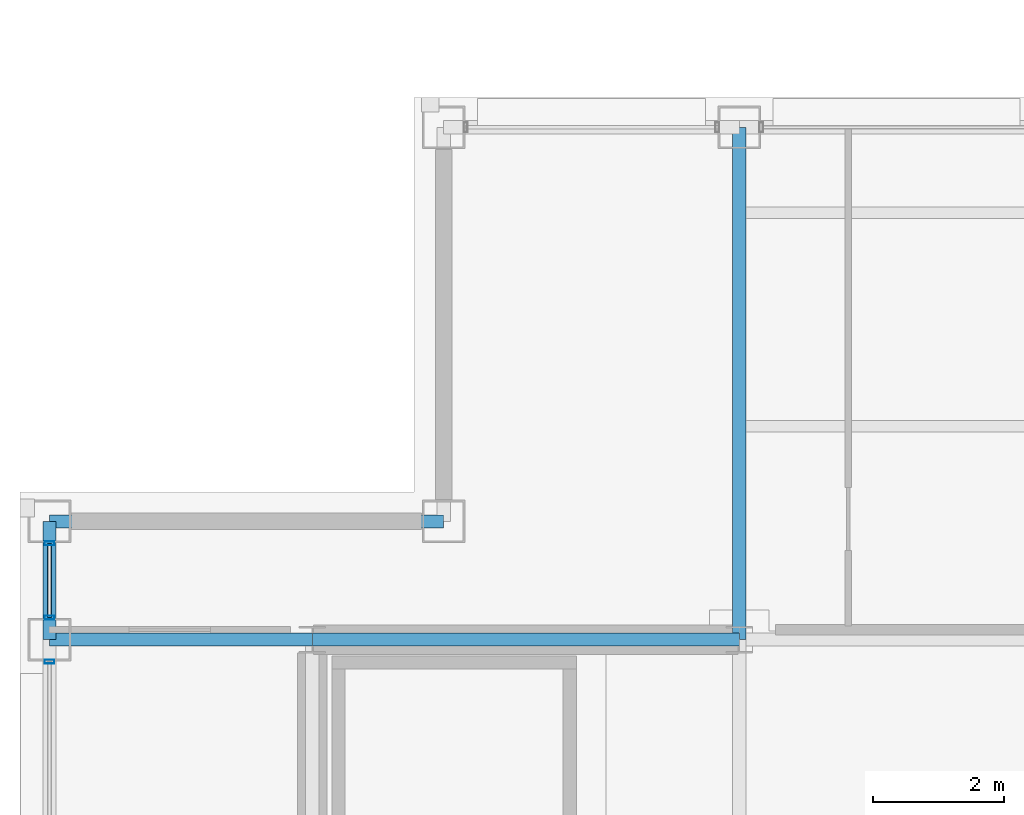
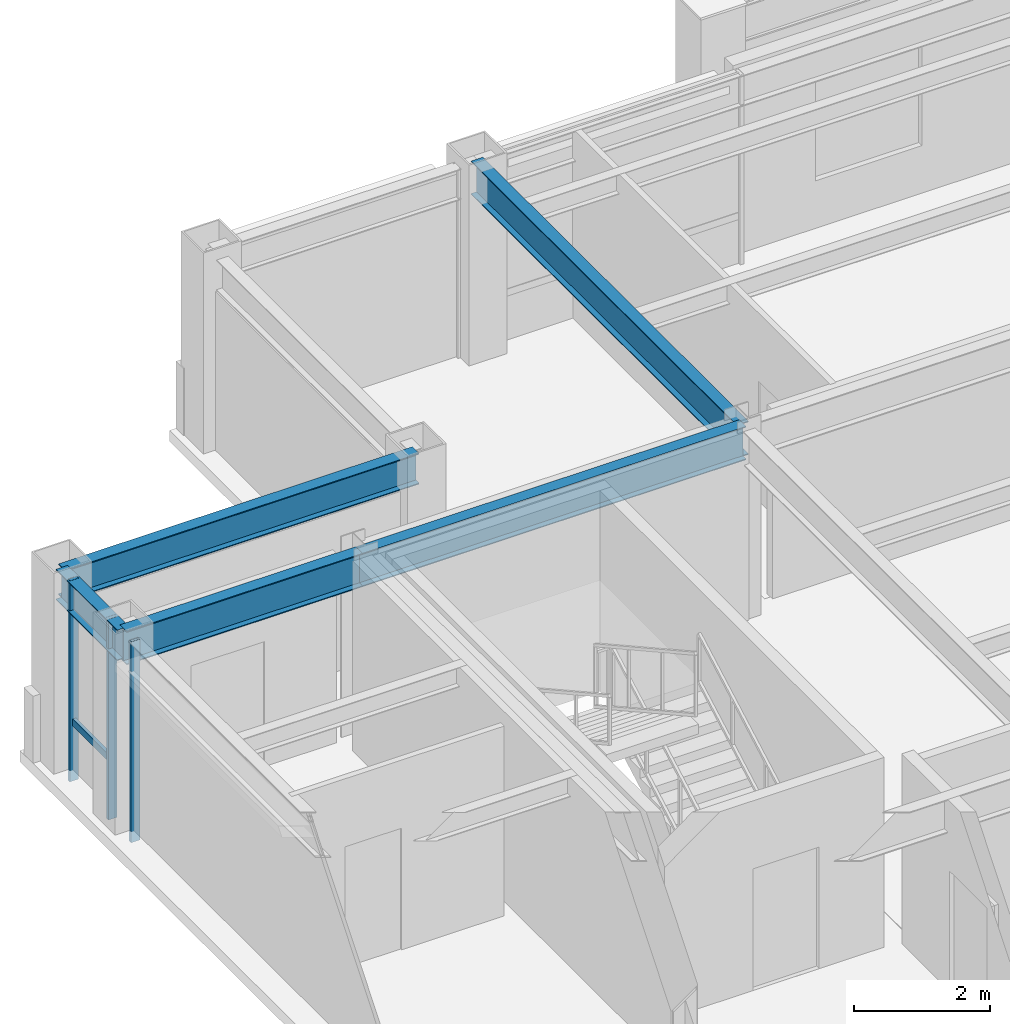
# One storey, part 9 of 24: 5 beams, 4 members, 2 elements without a shape of their own.
"""IFC4 building model written with IfcOpenShell, lengths in metres."""

from ifc_helpers import new_model, si_unit, direction, frame, origin, origin_2d, place, context, subcontext, project, spatial, hollow_rectangle, i_section, extrude, material, layer, layer_set, material_profile, profile_set, type_object, element, aggregate, save


model = new_model("IFC4")

# Units and contexts
model_context = context("Model", 3, precision=1e-05, world=origin(), true_north=direction((0.0, 1.0)))
body_context = subcontext(model_context, "Body", "Model", "MODEL_VIEW")
ifc_project = project(units=[si_unit("LENGTHUNIT", "METRE"), si_unit("AREAUNIT", "SQUARE_METRE"), si_unit("VOLUMEUNIT", "CUBIC_METRE"), si_unit("PLANEANGLEUNIT", "RADIAN"), si_unit("MASSUNIT", "GRAM", prefix="KILO")], contexts=[model_context])

# Site, building, storey
site_placement = place(None, origin())
site = spatial("IfcSite", under=ifc_project, at=site_placement, CompositionType="ELEMENT")
building_placement = place(site_placement, origin())
building = spatial("IfcBuilding", under=site, at=building_placement, Name="Brelmoor Portico Tower", CompositionType="ELEMENT")
storey_placement = place(building_placement, frame((0.0, 0.0, 240.0)))
storey = spatial("IfcBuildingStorey", under=building, at=storey_placement, Name="L63", CompositionType="ELEMENT", Elevation=240.0)

# Beams
ifc_material_1 = material(Name="Steel Q355B", Category="steel")
ifc_material_profile_1 = material_profile(ifc_material_1, i_section(OverallWidth=0.199951171875, OverallDepth=0.60009765625, WebThickness=0.010986328125, FlangeThickness=0.01708984375, at=origin_2d()), Name="HN 600x200x11x17")
ifc_profile_set_1 = profile_set([ifc_material_profile_1], Name="Steel Q355B")
beam_type_1 = type_object("IfcBeamType", Name="BM-PG-600", PredefinedType="BEAM", material=ifc_profile_set_1)
beam_1_placement = place(storey_placement, frame((-8.050048828125, 9.75, 3.10009765625), z_axis=(0.0, 1.0, 0.0), x_axis=(-1.0, 0.0, 0.0)))
element("IfcBeam", 1, at=beam_1_placement, inside=storey, type_object=beam_type_1, Name="L63 Primary Floor Girder PG-05", PredefinedType="BEAM", context=body_context, shape_type="SweptSolid", body=[
    extrude(i_section(OverallWidth=0.199951171875, OverallDepth=0.60009765625, WebThickness=0.010986328125, FlangeThickness=0.01708984375, at=origin_2d()), origin(), (0.0, 0.0, 1.0), 7.800048828125),
])
beam_2_placement = place(storey_placement, frame((-18.550048828125, 9.75, 3.10009765625), z_axis=(1.0, 0.0, 0.0), x_axis=(0.0, 1.0, 0.0)))
element("IfcBeam", 2, at=beam_2_placement, inside=storey, type_object=beam_type_1, Name="L63 Primary Floor Girder PG-19", PredefinedType="BEAM", context=body_context, shape_type="SweptSolid", body=[
    extrude(i_section(OverallWidth=0.199951171875, OverallDepth=0.60009765625, WebThickness=0.010986328125, FlangeThickness=0.01708984375, at=origin_2d()), origin(), (0.0, 0.0, 1.0), 4.0),
])
beam_3_placement = place(storey_placement, frame((-14.550048828125, 9.75, 3.10009765625), z_axis=(1.0, 0.0, 0.0), x_axis=(0.0, 1.0, 0.0)))
element("IfcBeam", 3, at=beam_3_placement, inside=storey, type_object=beam_type_1, Name="L63 Primary Floor Girder PG-20", PredefinedType="BEAM", context=body_context, shape_type="SweptSolid", body=[
    extrude(i_section(OverallWidth=0.199951171875, OverallDepth=0.60009765625, WebThickness=0.010986328125, FlangeThickness=0.01708984375, at=origin_2d()), origin(), (0.0, 0.0, 1.0), 6.5),
])
ifc_material_profile_2 = material_profile(ifc_material_1, i_section(OverallWidth=0.199951171875, OverallDepth=0.550048828125, WebThickness=0.010009765625, FlangeThickness=0.01611328125, at=origin_2d()), Name="HN 550x200x10x16")
ifc_profile_set_2 = profile_set([ifc_material_profile_2], Name="Steel Q355B")
beam_type_2 = type_object("IfcBeamType", Name="BM-SP-550", PredefinedType="SPANDREL", material=ifc_profile_set_2)
beam_4_placement = place(storey_placement, frame((-18.550048828125, 11.550048828125, 3.125), z_axis=(1.0, 0.0, 0.0), x_axis=(0.0, 1.0, 0.0)))
element("IfcBeam", 4, at=beam_4_placement, inside=storey, type_object=beam_type_2, Name="L63 Perimeter Spandrel Beam SP-06", PredefinedType="SPANDREL", context=body_context, shape_type="SweptSolid", body=[
    extrude(i_section(OverallWidth=0.199951171875, OverallDepth=0.550048828125, WebThickness=0.010009765625, FlangeThickness=0.01611328125, at=origin_2d()), origin(), (0.0, 0.0, 1.0), 6.0),
])
beam_5_placement = place(storey_placement, frame((-18.550048828125, 9.75, 3.125), z_axis=(0.0, 1.0, 0.0), x_axis=(-1.0, 0.0, 0.0)))
element("IfcBeam", 5, at=beam_5_placement, inside=storey, type_object=beam_type_2, Name="L63 Perimeter Spandrel Beam SP-13", PredefinedType="SPANDREL", context=body_context, shape_type="SweptSolid", body=[
    extrude(i_section(OverallWidth=0.199951171875, OverallDepth=0.550048828125, WebThickness=0.010009765625, FlangeThickness=0.01611328125, at=origin_2d()), origin(), (0.0, 0.0, 1.0), 1.800048828125),
])

# Curtain wall, member
ifc_material_2 = material(Name="Anodised Aluminium Alloy 6063-T6", Category="aluminium")
ifc_layer_1 = layer(ifc_material_2, 0.179931640625)
ifc_layer_set_1 = layer_set([ifc_layer_1], Name="Anodised Aluminium Alloy 6063-T6")
curtain_wall_type_1 = type_object("IfcCurtainWallType", Name="CW-TOWER-Z4-XB", PredefinedType="NOTDEFINED", material=ifc_layer_set_1)
curtain_wall_1_placement = place(storey_placement, origin())
curtain_wall_1 = element("IfcCurtainWall", 6, at=curtain_wall_1_placement, inside=storey, type_object=curtain_wall_type_1, Name="L63 Curtain Wall CW-L63-03-2", PredefinedType="NOTDEFINED")
ifc_material_profile_3 = material_profile(ifc_material_2, hollow_rectangle(XDim=0.06005859375, YDim=0.14990234375, WallThickness=0.00390625, at=origin_2d()), Name="ALU MULLION 60x150")
ifc_profile_set_3 = profile_set([ifc_material_profile_3], Name="Anodised Aluminium Alloy 6063-T6")
member_type_1 = type_object("IfcMemberType", Name="MB-CW-MULL-150", PredefinedType="MULLION", material=ifc_profile_set_3)
member_1_placement = place(storey_placement, frame((-18.550048828125, 9.4150390625, -0.199951171875), z_axis=(0.0, 0.0, 1.0), x_axis=(0.0, 1.0, 0.0)))
member_1 = element("IfcMember", 7, at=member_1_placement, type_object=member_type_1, Name="CW-L63-03-2 Mullion 02", PredefinedType="MULLION", context=body_context, shape_type="SweptSolid", body=[
    extrude(hollow_rectangle(XDim=0.06005859375, YDim=0.14990234375, WallThickness=0.00390625, at=origin_2d()), origin(), (0.0, 0.0, 1.0), 3.599853515625),
])
aggregate(curtain_wall_1, [member_1])

# Curtain wall, members
ifc_layer_2 = layer(ifc_material_2, 0.179931640625)
ifc_layer_set_2 = layer_set([ifc_layer_2], Name="Anodised Aluminium Alloy 6063-T6")
curtain_wall_type_2 = type_object("IfcCurtainWallType", Name="CW-TOWER-Z4", PredefinedType="NOTDEFINED", material=ifc_layer_set_2)
curtain_wall_2_placement = place(storey_placement, origin())
curtain_wall_2 = element("IfcCurtainWall", 8, at=curtain_wall_2_placement, inside=storey, type_object=curtain_wall_type_2, Name="L63 Curtain Wall CW-L63-03-3", PredefinedType="NOTDEFINED")
member_2_placement = place(storey_placement, frame((-18.550048828125, 10.0849609375, -0.199951171875), z_axis=(0.0, 0.0, 1.0), x_axis=(0.0, 1.0, 0.0)))
member_2 = element("IfcMember", 9, at=member_2_placement, type_object=member_type_1, Name="CW-L63-03-3 Mullion 00", PredefinedType="MULLION", context=body_context, shape_type="SweptSolid", body=[
    extrude(hollow_rectangle(XDim=0.06005859375, YDim=0.14990234375, WallThickness=0.00390625, at=origin_2d()), origin(), (0.0, 0.0, 1.0), 3.599853515625),
])
member_3_placement = place(storey_placement, frame((-18.550048828125, 11.215087890625, -0.199951171875), z_axis=(0.0, 0.0, 1.0), x_axis=(0.0, 1.0, 0.0)))
member_3 = element("IfcMember", 10, at=member_3_placement, type_object=member_type_1, Name="CW-L63-03-3 Mullion 01", PredefinedType="MULLION", context=body_context, shape_type="SweptSolid", body=[
    extrude(hollow_rectangle(XDim=0.06005859375, YDim=0.14990234375, WallThickness=0.00390625, at=origin_2d()), origin(), (0.0, 0.0, 1.0), 3.599853515625),
])
ifc_material_profile_4 = material_profile(ifc_material_2, hollow_rectangle(XDim=0.06005859375, YDim=0.125, WallThickness=0.00341796875, at=origin_2d()), Name="ALU TRANSOM 60x125")
ifc_profile_set_4 = profile_set([ifc_material_profile_4], Name="Anodised Aluminium Alloy 6063-T6")
member_type_2 = type_object("IfcMemberType", Name="MB-CW-TRAN-125", PredefinedType="USERDEFINED", material=ifc_profile_set_4)
member_4_placement = place(storey_placement, frame((-18.550048828125, 10.0849609375, 0.85009765625), z_axis=(0.0, 1.0, 0.0), x_axis=(-1.0, 0.0, 0.0)))
member_4 = element("IfcMember", 11, at=member_4_placement, type_object=member_type_2, Name="CW-L63-03-3 Transom 1-00", ObjectType="TRANSOM", PredefinedType="USERDEFINED", context=body_context, shape_type="SweptSolid", body=[
    extrude(hollow_rectangle(XDim=0.06005859375, YDim=0.125, WallThickness=0.00341796875, at=origin_2d()), origin(), (0.0, 0.0, 1.0), 1.130126953125),
])
aggregate(curtain_wall_2, [member_2, member_3, member_4])

save(model, "model.ifc")
